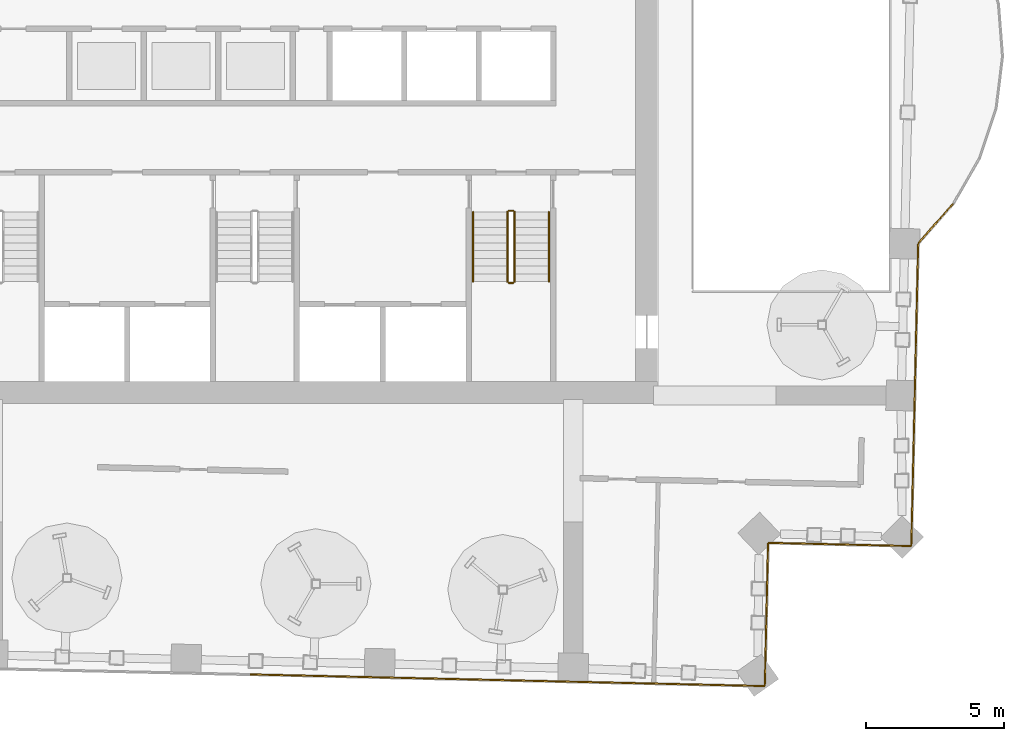
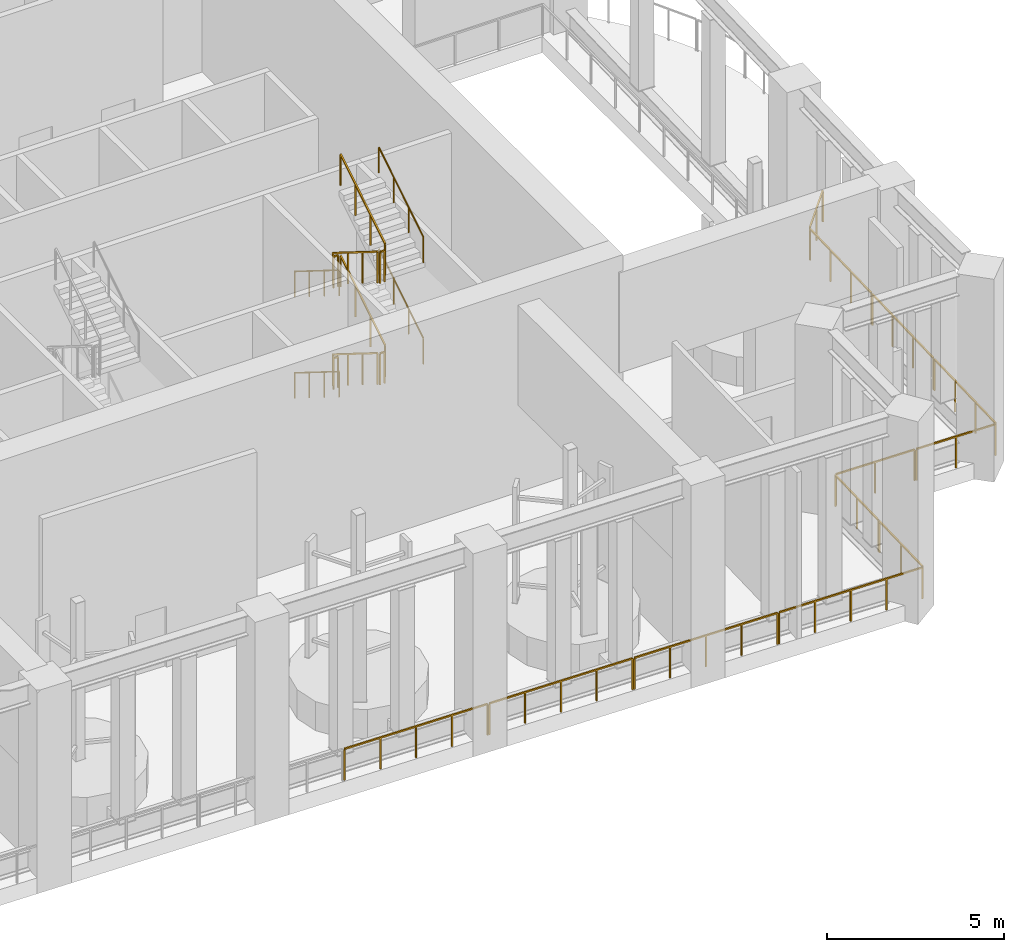
# One storey, part 30 of 33: 24 railings.
"""IFC4 building model written with IfcOpenShell, lengths in metres."""

from ifc_helpers import new_model, si_unit, direction, frame, origin, origin_2d, place, context, subcontext, project, spatial, rectangle, circle, extrude, material, type_object, element, save


model = new_model("IFC4")

# Units and contexts
model_context = context("Model", 3, precision=1e-05, world=origin(), true_north=direction((0.0, 1.0)))
body_context = subcontext(model_context, "Body", "Model", "MODEL_VIEW")
ifc_project = project(units=[si_unit("LENGTHUNIT", "METRE"), si_unit("AREAUNIT", "SQUARE_METRE"), si_unit("VOLUMEUNIT", "CUBIC_METRE"), si_unit("PLANEANGLEUNIT", "RADIAN"), si_unit("MASSUNIT", "GRAM", prefix="KILO")], contexts=[model_context])

# Site, building, storey
site_placement = place(None, origin())
site = spatial("IfcSite", under=ifc_project, at=site_placement, CompositionType="ELEMENT")
building_placement = place(site_placement, origin())
building = spatial("IfcBuilding", under=site, at=building_placement, Name="Mangrove Gate Tower", CompositionType="ELEMENT")
storey_placement = place(building_placement, frame((0.0, 0.0, 219.5)))
storey = spatial("IfcBuildingStorey", under=building, at=storey_placement, Name="L56", CompositionType="ELEMENT", Elevation=219.5)

# Railings
ifc_material_1 = material(Name="Stainless steel grade 316 with laminated glass infill", Category="steel")
railing_type_1 = type_object("IfcRailingType", Name="Balcony guard 1100", PredefinedType="GUARDRAIL", material=ifc_material_1)
for number, where, name in (
    (1, (23.801025390625, -16.740966796875, 0.0), "GUARD L56 slot 1"),
    (2, (23.884033203125, -13.080078125, 0.0), "GUARD L56 slot 2"),
):
    element("IfcRailing", number, at=place(storey_placement, frame(where)), inside=storey, type_object=railing_type_1, Name=name, PredefinedType="GUARDRAIL", context=body_context, shape_type="SweptSolid", body=[
        extrude(rectangle(XDim=0.048095703125, YDim=0.048095703125, at=origin_2d()), frame((0.0, 0.0, 1.076171875), z_axis=(0.022773752986, 0.999740644455, 0.0), x_axis=(-0.999740644455, 0.022773752986, 0.0)), (0.0, 0.0, 1.0), 3.60205078125),
        extrude(rectangle(XDim=0.0419921875, YDim=0.0419921875, at=origin_2d()), origin(), (0.0, 0.0, 1.0), 1.052001953125),
        extrude(rectangle(XDim=0.0419921875, YDim=0.0419921875, at=origin_2d()), frame((0.02734375, 1.200439453125, 0.0)), (0.0, 0.0, 1.0), 1.052001953125),
        extrude(rectangle(XDim=0.0419921875, YDim=0.0419921875, at=origin_2d()), frame((0.0546875, 2.400634765625, 0.0)), (0.0, 0.0, 1.0), 1.052001953125),
        extrude(rectangle(XDim=0.0419921875, YDim=0.0419921875, at=origin_2d()), frame((0.08203125, 3.60107421875, 0.0)), (0.0, 0.0, 1.0), 1.052001953125),
    ])
railing_1_placement = place(storey_placement, frame((23.967041015625, -9.4189453125, 0.0)))
element("IfcRailing", 3, at=railing_1_placement, inside=storey, type_object=railing_type_1, Name="GUARD L56 slot 3", PredefinedType="GUARDRAIL", context=body_context, shape_type="SweptSolid", body=[
    extrude(rectangle(XDim=0.048095703125, YDim=0.048095703125, at=origin_2d()), frame((0.0, 0.0, 1.076171875), z_axis=(0.022767581928, 0.99974078501, 0.0), x_axis=(-0.99974078501, 0.022767581928, 0.0)), (0.0, 0.0, 1.0), 3.60302734375),
    extrude(rectangle(XDim=0.0419921875, YDim=0.0419921875, at=origin_2d()), origin(), (0.0, 0.0, 1.0), 1.052001953125),
    extrude(rectangle(XDim=0.0419921875, YDim=0.0419921875, at=origin_2d()), frame((0.02734375, 1.20068359375, 0.0)), (0.0, 0.0, 1.0), 1.052001953125),
    extrude(rectangle(XDim=0.0419921875, YDim=0.0419921875, at=origin_2d()), frame((0.0546875, 2.4013671875, 0.0)), (0.0, 0.0, 1.0), 1.052001953125),
    extrude(rectangle(XDim=0.0419921875, YDim=0.0419921875, at=origin_2d()), frame((0.08203125, 3.60205078125, 0.0)), (0.0, 0.0, 1.0), 1.052001953125),
])
railing_2_placement = place(storey_placement, frame((24.070068359375, -5.764892578125, 0.0)))
element("IfcRailing", 4, at=railing_2_placement, inside=storey, type_object=railing_type_1, Name="GUARD L56 slot 4", PredefinedType="GUARDRAIL", context=body_context, shape_type="SweptSolid", body=[
    extrude(rectangle(XDim=0.048095703125, YDim=0.048095703125, at=origin_2d()), frame((0.0, 0.0, 1.076171875), z_axis=(0.660186077036, 0.751102086062, 0.0), x_axis=(-0.751102086062, 0.660186077036, 0.0)), (0.0, 0.0, 1.0), 1.868896484375),
    extrude(rectangle(XDim=0.0419921875, YDim=0.0419921875, at=origin_2d()), origin(), (0.0, 0.0, 1.0), 1.052001953125),
    extrude(rectangle(XDim=0.0419921875, YDim=0.0419921875, at=origin_2d()), frame((0.616943359375, 0.701904296875, 0.0)), (0.0, 0.0, 1.0), 1.052001953125),
    extrude(rectangle(XDim=0.0419921875, YDim=0.0419921875, at=origin_2d()), frame((1.23388671875, 1.40380859375, 0.0)), (0.0, 0.0, 1.0), 1.052001953125),
])
railing_3_placement = place(storey_placement, frame((-0.158935546875, -21.428955078125, 0.0)))
element("IfcRailing", 5, at=railing_3_placement, inside=storey, type_object=railing_type_1, Name="GUARD L56 slot 49", PredefinedType="GUARDRAIL", context=body_context, shape_type="SweptSolid", body=[
    extrude(rectangle(XDim=0.048095703125, YDim=0.048095703125, at=origin_2d()), frame((0.0, 0.0, 1.076171875), z_axis=(0.999745486154, -0.022560206436, 0.0), x_axis=(0.022560206436, 0.999745486154, 0.0)), (0.0, 0.0, 1.0), 4.610107421875),
    extrude(rectangle(XDim=0.0419921875, YDim=0.0419921875, at=origin_2d()), origin(), (0.0, 0.0, 1.0), 1.052001953125),
    extrude(rectangle(XDim=0.0419921875, YDim=0.0419921875, at=origin_2d()), frame((1.15234375, -0.02587890625, 0.0)), (0.0, 0.0, 1.0), 1.052001953125),
    extrude(rectangle(XDim=0.0419921875, YDim=0.0419921875, at=origin_2d()), frame((2.304443359375, -0.052001953125, 0.0)), (0.0, 0.0, 1.0), 1.052001953125),
    extrude(rectangle(XDim=0.0419921875, YDim=0.0419921875, at=origin_2d()), frame((3.45654296875, -0.078125, 0.0)), (0.0, 0.0, 1.0), 1.052001953125),
    extrude(rectangle(XDim=0.0419921875, YDim=0.0419921875, at=origin_2d()), frame((4.60888671875, -0.10400390625, 0.0)), (0.0, 0.0, 1.0), 1.052001953125),
])
for number, where, name in (
    (6, (4.510009765625, -21.534912109375, 0.0), "GUARD L56 slot 50"),
    (7, (9.177978515625, -21.64111328125, 0.0), "GUARD L56 slot 51"),
):
    element("IfcRailing", number, at=place(storey_placement, frame(where)), inside=storey, type_object=railing_type_1, Name=name, PredefinedType="GUARDRAIL", context=body_context, shape_type="SweptSolid", body=[
        extrude(rectangle(XDim=0.048095703125, YDim=0.048095703125, at=origin_2d()), frame((0.0, 0.0, 1.076171875), z_axis=(0.999745378305, -0.022564985226, 0.0), x_axis=(0.022564985226, 0.999745378305, 0.0)), (0.0, 0.0, 1.0), 4.609130859375),
        extrude(rectangle(XDim=0.0419921875, YDim=0.0419921875, at=origin_2d()), origin(), (0.0, 0.0, 1.0), 1.052001953125),
        extrude(rectangle(XDim=0.0419921875, YDim=0.0419921875, at=origin_2d()), frame((1.15185546875, -0.02587890625, 0.0)), (0.0, 0.0, 1.0), 1.052001953125),
        extrude(rectangle(XDim=0.0419921875, YDim=0.0419921875, at=origin_2d()), frame((2.303955078125, -0.052001953125, 0.0)), (0.0, 0.0, 1.0), 1.052001953125),
        extrude(rectangle(XDim=0.0419921875, YDim=0.0419921875, at=origin_2d()), frame((3.4560546875, -0.078125, 0.0)), (0.0, 0.0, 1.0), 1.052001953125),
        extrude(rectangle(XDim=0.0419921875, YDim=0.0419921875, at=origin_2d()), frame((4.60791015625, -0.10400390625, 0.0)), (0.0, 0.0, 1.0), 1.052001953125),
    ])
railing_4_placement = place(storey_placement, frame((13.845947265625, -21.74609375, 0.0)))
element("IfcRailing", 8, at=railing_4_placement, inside=storey, type_object=railing_type_1, Name="GUARD L56 slot 52", PredefinedType="GUARDRAIL", context=body_context, shape_type="SweptSolid", body=[
    extrude(rectangle(XDim=0.048095703125, YDim=0.048095703125, at=origin_2d()), frame((0.0, 0.0, 1.076171875), z_axis=(0.999740603574, -0.022775547525, 0.0), x_axis=(0.022775547525, 0.999740603574, 0.0)), (0.0, 0.0, 1.0), 4.609375),
    extrude(rectangle(XDim=0.0419921875, YDim=0.0419921875, at=origin_2d()), origin(), (0.0, 0.0, 1.0), 1.052001953125),
    extrude(rectangle(XDim=0.0419921875, YDim=0.0419921875, at=origin_2d()), frame((1.152099609375, -0.0263671875, 0.0)), (0.0, 0.0, 1.0), 1.052001953125),
    extrude(rectangle(XDim=0.0419921875, YDim=0.0419921875, at=origin_2d()), frame((2.30419921875, -0.052490234375, 0.0)), (0.0, 0.0, 1.0), 1.052001953125),
    extrude(rectangle(XDim=0.0419921875, YDim=0.0419921875, at=origin_2d()), frame((3.4560546875, -0.07861328125, 0.0)), (0.0, 0.0, 1.0), 1.052001953125),
    extrude(rectangle(XDim=0.0419921875, YDim=0.0419921875, at=origin_2d()), frame((4.608154296875, -0.10498046875, 0.0)), (0.0, 0.0, 1.0), 1.052001953125),
])
railing_5_placement = place(storey_placement, frame((18.485107421875, -21.822021484375, 0.0)))
element("IfcRailing", 9, at=railing_5_placement, inside=storey, type_object=railing_type_1, Name="GUARD L56 slot 53", PredefinedType="GUARDRAIL", context=body_context, shape_type="SweptSolid", body=[
    extrude(rectangle(XDim=0.048095703125, YDim=0.048095703125, at=origin_2d()), frame((0.0, 0.0, 1.076171875), z_axis=(0.02238961859, 0.99974932107, 0.0), x_axis=(-0.99974932107, 0.02238961859, 0.0)), (0.0, 0.0, 1.0), 2.540771484375),
    extrude(rectangle(XDim=0.0419921875, YDim=0.0419921875, at=origin_2d()), origin(), (0.0, 0.0, 1.0), 1.052001953125),
    extrude(rectangle(XDim=0.0419921875, YDim=0.0419921875, at=origin_2d()), frame((0.0283203125, 1.27001953125, 0.0)), (0.0, 0.0, 1.0), 1.052001953125),
    extrude(rectangle(XDim=0.0419921875, YDim=0.0419921875, at=origin_2d()), frame((0.056884765625, 2.5400390625, 0.0)), (0.0, 0.0, 1.0), 1.052001953125),
])
railing_6_placement = place(storey_placement, frame((18.5439453125, -19.221923828125, 0.0)))
element("IfcRailing", 10, at=railing_6_placement, inside=storey, type_object=railing_type_1, Name="GUARD L56 slot 54", PredefinedType="GUARDRAIL", context=body_context, shape_type="SweptSolid", body=[
    extrude(rectangle(XDim=0.048095703125, YDim=0.048095703125, at=origin_2d()), frame((0.0, 0.0, 1.076171875), z_axis=(0.022496468876, 0.99974692242, 0.0), x_axis=(-0.99974692242, 0.022496468876, 0.0)), (0.0, 0.0, 1.0), 2.53955078125),
    extrude(rectangle(XDim=0.0419921875, YDim=0.0419921875, at=origin_2d()), origin(), (0.0, 0.0, 1.0), 1.052001953125),
    extrude(rectangle(XDim=0.0419921875, YDim=0.0419921875, at=origin_2d()), frame((0.028564453125, 1.26953125, 0.0)), (0.0, 0.0, 1.0), 1.052001953125),
    extrude(rectangle(XDim=0.0419921875, YDim=0.0419921875, at=origin_2d()), frame((0.05712890625, 2.538818359375, 0.0)), (0.0, 0.0, 1.0), 1.052001953125),
])
railing_7_placement = place(storey_placement, frame((18.632080078125, -16.654052734375, 0.0)))
element("IfcRailing", 11, at=railing_7_placement, inside=storey, type_object=railing_type_1, Name="GUARD L56 slot 55", PredefinedType="GUARDRAIL", context=body_context, shape_type="SweptSolid", body=[
    extrude(rectangle(XDim=0.048095703125, YDim=0.048095703125, at=origin_2d()), frame((0.0, 0.0, 1.076171875), z_axis=(0.999749080042, -0.022400378464, 0.0), x_axis=(0.022400378464, 0.999749080042, 0.0)), (0.0, 0.0, 1.0), 2.53955078125),
    extrude(rectangle(XDim=0.0419921875, YDim=0.0419921875, at=origin_2d()), origin(), (0.0, 0.0, 1.0), 1.052001953125),
    extrude(rectangle(XDim=0.0419921875, YDim=0.0419921875, at=origin_2d()), frame((1.26953125, -0.0283203125, 0.0)), (0.0, 0.0, 1.0), 1.052001953125),
    extrude(rectangle(XDim=0.0419921875, YDim=0.0419921875, at=origin_2d()), frame((2.538818359375, -0.056884765625, 0.0)), (0.0, 0.0, 1.0), 1.052001953125),
])
railing_8_placement = place(storey_placement, frame((21.23095703125, -16.712890625, 0.0)))
element("IfcRailing", 12, at=railing_8_placement, inside=storey, type_object=railing_type_1, Name="GUARD L56 slot 56", PredefinedType="GUARDRAIL", context=body_context, shape_type="SweptSolid", body=[
    extrude(rectangle(XDim=0.048095703125, YDim=0.048095703125, at=origin_2d()), frame((0.0, 0.0, 1.076171875), z_axis=(0.99974716552, -0.022485662892, 0.0), x_axis=(0.022485662892, 0.99974716552, 0.0)), (0.0, 0.0, 1.0), 2.540771484375),
    extrude(rectangle(XDim=0.0419921875, YDim=0.0419921875, at=origin_2d()), origin(), (0.0, 0.0, 1.0), 1.052001953125),
    extrude(rectangle(XDim=0.0419921875, YDim=0.0419921875, at=origin_2d()), frame((1.27001953125, -0.028564453125, 0.0)), (0.0, 0.0, 1.0), 1.052001953125),
    extrude(rectangle(XDim=0.0419921875, YDim=0.0419921875, at=origin_2d()), frame((2.5400390625, -0.05712890625, 0.0)), (0.0, 0.0, 1.0), 1.052001953125),
])
ifc_material_2 = material(Name="Stainless steel 316", Category="steel")
railing_type_2 = type_object("IfcRailingType", Name="Core stair guard 1100", PredefinedType="GUARDRAIL", material=ifc_material_2)
railing_9_placement = place(storey_placement, frame((9.14990234375, -4.64990234375, 0.175048828125)))
element("IfcRailing", 13, at=railing_9_placement, inside=storey, type_object=railing_type_2, Name="L56 ST3 stair guard 1", PredefinedType="GUARDRAIL", context=body_context, shape_type="SweptSolid", body=[
    extrude(rectangle(XDim=0.048095703125, YDim=0.048095703125, at=origin_2d()), frame((0.0, 0.0, 1.076171875), z_axis=(0.0, -0.848007534815, 0.529984170421), x_axis=(1.0, 0.0, 0.0)), (0.0, 0.0, 1.0), 2.9716796875),
    extrude(rectangle(XDim=0.0419921875, YDim=0.0419921875, at=origin_2d()), origin(), (0.0, 0.0, 1.0), 1.052001953125),
    extrude(rectangle(XDim=0.0419921875, YDim=0.0419921875, at=origin_2d()), frame((0.0, -0.840087890625, 0.52490234375)), (0.0, 0.0, 1.0), 1.052001953125),
    extrude(rectangle(XDim=0.0419921875, YDim=0.0419921875, at=origin_2d()), frame((0.0, -1.679931640625, 1.050048828125)), (0.0, 0.0, 1.0), 1.052001953125),
    extrude(rectangle(XDim=0.0419921875, YDim=0.0419921875, at=origin_2d()), frame((0.0, -2.52001953125, 1.574951171875)), (0.0, 0.0, 1.0), 1.052001953125),
])
railing_10_placement = place(storey_placement, frame((9.199951171875, -7.219970703125, 1.75)))
element("IfcRailing", 14, at=railing_10_placement, inside=storey, type_object=railing_type_2, Name="L56 ST3 stair guard 2", PredefinedType="GUARDRAIL", context=body_context, shape_type="SweptSolid", body=[
    extrude(rectangle(XDim=0.048095703125, YDim=0.048095703125, at=origin_2d()), frame((0.0, 0.0, 1.076171875), z_axis=(1.0, 0.0, 0.0), x_axis=(0.0, 1.0, 0.0)), (0.0, 0.0, 1.0), 0.150146484375),
    extrude(rectangle(XDim=0.0419921875, YDim=0.0419921875, at=origin_2d()), origin(), (0.0, 0.0, 1.0), 1.052001953125),
    extrude(rectangle(XDim=0.0419921875, YDim=0.0419921875, at=origin_2d()), frame((0.150146484375, 0.0, 0.0)), (0.0, 0.0, 1.0), 1.052001953125),
])
railing_11_placement = place(storey_placement, frame((9.39990234375, -7.169921875, 1.925048828125)))
element("IfcRailing", 15, at=railing_11_placement, inside=storey, type_object=railing_type_2, Name="L56 ST3 stair guard 3", PredefinedType="GUARDRAIL", context=body_context, shape_type="SweptSolid", body=[
    extrude(rectangle(XDim=0.048095703125, YDim=0.048095703125, at=origin_2d()), frame((0.0, 0.0, 1.076171875), z_axis=(0.0, 0.848007534815, 0.529984170421), x_axis=(-1.0, 0.0, 0.0)), (0.0, 0.0, 1.0), 2.9716796875),
    extrude(rectangle(XDim=0.0419921875, YDim=0.0419921875, at=origin_2d()), origin(), (0.0, 0.0, 1.0), 1.052001953125),
    extrude(rectangle(XDim=0.0419921875, YDim=0.0419921875, at=origin_2d()), frame((0.0, 0.840087890625, 0.52490234375)), (0.0, 0.0, 1.0), 1.052001953125),
    extrude(rectangle(XDim=0.0419921875, YDim=0.0419921875, at=origin_2d()), frame((0.0, 1.679931640625, 1.050048828125)), (0.0, 0.0, 1.0), 1.052001953125),
    extrude(rectangle(XDim=0.0419921875, YDim=0.0419921875, at=origin_2d()), frame((0.0, 2.52001953125, 1.574951171875)), (0.0, 0.0, 1.0), 1.052001953125),
])
railing_12_placement = place(storey_placement, frame((9.199951171875, -4.60009765625, 3.5)))
element("IfcRailing", 16, at=railing_12_placement, inside=storey, type_object=railing_type_2, Name="L56 ST3 stair guard 4", PredefinedType="GUARDRAIL", context=body_context, shape_type="SweptSolid", body=[
    extrude(rectangle(XDim=0.048095703125, YDim=0.048095703125, at=origin_2d()), frame((0.0, 0.0, 1.076171875), z_axis=(1.0, 0.0, 0.0), x_axis=(0.0, 1.0, 0.0)), (0.0, 0.0, 1.0), 0.150146484375),
    extrude(rectangle(XDim=0.0419921875, YDim=0.0419921875, at=origin_2d()), origin(), (0.0, 0.0, 1.0), 1.052001953125),
    extrude(rectangle(XDim=0.0419921875, YDim=0.0419921875, at=origin_2d()), frame((0.150146484375, 0.0, 0.0)), (0.0, 0.0, 1.0), 1.052001953125),
])
railing_13_placement = place(storey_placement, frame((9.14990234375, -4.64990234375, 3.675048828125)))
element("IfcRailing", 17, at=railing_13_placement, inside=storey, type_object=railing_type_2, Name="L56 ST3 stair guard 5", PredefinedType="GUARDRAIL", context=body_context, shape_type="SweptSolid", body=[
    extrude(rectangle(XDim=0.048095703125, YDim=0.048095703125, at=origin_2d()), frame((0.0, 0.0, 1.076171875), z_axis=(0.0, -0.848007534815, 0.529984170421), x_axis=(1.0, 0.0, 0.0)), (0.0, 0.0, 1.0), 2.9716796875),
    extrude(rectangle(XDim=0.0419921875, YDim=0.0419921875, at=origin_2d()), origin(), (0.0, 0.0, 1.0), 1.052001953125),
    extrude(rectangle(XDim=0.0419921875, YDim=0.0419921875, at=origin_2d()), frame((0.0, -0.840087890625, 0.52490234375)), (0.0, 0.0, 1.0), 1.052001953125),
    extrude(rectangle(XDim=0.0419921875, YDim=0.0419921875, at=origin_2d()), frame((0.0, -1.679931640625, 1.050048828125)), (0.0, 0.0, 1.0), 1.052001953125),
    extrude(rectangle(XDim=0.0419921875, YDim=0.0419921875, at=origin_2d()), frame((0.0, -2.52001953125, 1.574951171875)), (0.0, 0.0, 1.0), 1.052001953125),
])
railing_14_placement = place(storey_placement, frame((9.199951171875, -7.219970703125, 5.25)))
element("IfcRailing", 18, at=railing_14_placement, inside=storey, type_object=railing_type_2, Name="L56 ST3 stair guard 6", PredefinedType="GUARDRAIL", context=body_context, shape_type="SweptSolid", body=[
    extrude(rectangle(XDim=0.048095703125, YDim=0.048095703125, at=origin_2d()), frame((0.0, 0.0, 1.076171875), z_axis=(1.0, 0.0, 0.0), x_axis=(0.0, 1.0, 0.0)), (0.0, 0.0, 1.0), 0.150146484375),
    extrude(rectangle(XDim=0.0419921875, YDim=0.0419921875, at=origin_2d()), origin(), (0.0, 0.0, 1.0), 1.052001953125),
    extrude(rectangle(XDim=0.0419921875, YDim=0.0419921875, at=origin_2d()), frame((0.150146484375, 0.0, 0.0)), (0.0, 0.0, 1.0), 1.052001953125),
])
railing_15_placement = place(storey_placement, frame((9.39990234375, -7.169921875, 5.425048828125)))
element("IfcRailing", 19, at=railing_15_placement, inside=storey, type_object=railing_type_2, Name="L56 ST3 stair guard 7", PredefinedType="GUARDRAIL", context=body_context, shape_type="SweptSolid", body=[
    extrude(rectangle(XDim=0.048095703125, YDim=0.048095703125, at=origin_2d()), frame((0.0, 0.0, 1.076171875), z_axis=(0.0, 0.848007534815, 0.529984170421), x_axis=(-1.0, 0.0, 0.0)), (0.0, 0.0, 1.0), 2.9716796875),
    extrude(rectangle(XDim=0.0419921875, YDim=0.0419921875, at=origin_2d()), origin(), (0.0, 0.0, 1.0), 1.052001953125),
    extrude(rectangle(XDim=0.0419921875, YDim=0.0419921875, at=origin_2d()), frame((0.0, 0.840087890625, 0.52490234375)), (0.0, 0.0, 1.0), 1.052001953125),
    extrude(rectangle(XDim=0.0419921875, YDim=0.0419921875, at=origin_2d()), frame((0.0, 1.679931640625, 1.050048828125)), (0.0, 0.0, 1.0), 1.052001953125),
    extrude(rectangle(XDim=0.0419921875, YDim=0.0419921875, at=origin_2d()), frame((0.0, 2.52001953125, 1.574951171875)), (0.0, 0.0, 1.0), 1.052001953125),
])
railing_16_placement = place(storey_placement, frame((9.199951171875, -4.60009765625, 0.0)))
element("IfcRailing", 20, at=railing_16_placement, inside=storey, type_object=railing_type_2, Name="L56 ST3 stair guard 8", PredefinedType="GUARDRAIL", context=body_context, shape_type="SweptSolid", body=[
    extrude(rectangle(XDim=0.048095703125, YDim=0.048095703125, at=origin_2d()), frame((0.0, 0.0, 1.076171875), z_axis=(1.0, 0.0, 0.0), x_axis=(0.0, 1.0, 0.0)), (0.0, 0.0, 1.0), 0.150146484375),
    extrude(rectangle(XDim=0.0419921875, YDim=0.0419921875, at=origin_2d()), origin(), (0.0, 0.0, 1.0), 1.052001953125),
    extrude(rectangle(XDim=0.0419921875, YDim=0.0419921875, at=origin_2d()), frame((0.150146484375, 0.0, 0.0)), (0.0, 0.0, 1.0), 1.052001953125),
])
ifc_material_3 = material(Name="Stainless steel 316", Category="steel")
railing_type_3 = type_object("IfcRailingType", Name="Core stair handrail 900", PredefinedType="HANDRAIL", material=ifc_material_3)
railing_17_placement = place(storey_placement, frame((7.89990234375, -4.64990234375, 0.175048828125)))
element("IfcRailing", 21, at=railing_17_placement, inside=storey, type_object=railing_type_3, Name="L56 ST3 stair handrail 1", PredefinedType="HANDRAIL", context=body_context, shape_type="SweptSolid", body=[
    extrude(circle(Radius=0.02392578125, at=origin_2d()), frame((0.0, 0.0, 0.8759765625), z_axis=(0.0, -0.848007534815, 0.529984170421), x_axis=(1.0, 0.0, 0.0)), (0.0, 0.0, 1.0), 2.9716796875),
    extrude(circle(Radius=0.02099609375, at=origin_2d()), origin(), (0.0, 0.0, 1.0), 0.851806640625),
    extrude(circle(Radius=0.02099609375, at=origin_2d()), frame((0.0, -0.840087890625, 0.52490234375)), (0.0, 0.0, 1.0), 0.851806640625),
    extrude(circle(Radius=0.02099609375, at=origin_2d()), frame((0.0, -1.679931640625, 1.050048828125)), (0.0, 0.0, 1.0), 0.851806640625),
    extrude(circle(Radius=0.02099609375, at=origin_2d()), frame((0.0, -2.52001953125, 1.574951171875)), (0.0, 0.0, 1.0), 0.851806640625),
])
railing_18_placement = place(storey_placement, frame((10.64990234375, -7.169921875, 1.925048828125)))
element("IfcRailing", 22, at=railing_18_placement, inside=storey, type_object=railing_type_3, Name="L56 ST3 stair handrail 2", PredefinedType="HANDRAIL", context=body_context, shape_type="SweptSolid", body=[
    extrude(circle(Radius=0.02392578125, at=origin_2d()), frame((0.0, 0.0, 0.8759765625), z_axis=(0.0, 0.848007534815, 0.529984170421), x_axis=(-1.0, 0.0, 0.0)), (0.0, 0.0, 1.0), 2.9716796875),
    extrude(circle(Radius=0.02099609375, at=origin_2d()), origin(), (0.0, 0.0, 1.0), 0.851806640625),
    extrude(circle(Radius=0.02099609375, at=origin_2d()), frame((0.0, 0.840087890625, 0.52490234375)), (0.0, 0.0, 1.0), 0.851806640625),
    extrude(circle(Radius=0.02099609375, at=origin_2d()), frame((0.0, 1.679931640625, 1.050048828125)), (0.0, 0.0, 1.0), 0.851806640625),
    extrude(circle(Radius=0.02099609375, at=origin_2d()), frame((0.0, 2.52001953125, 1.574951171875)), (0.0, 0.0, 1.0), 0.851806640625),
])
railing_19_placement = place(storey_placement, frame((7.89990234375, -4.64990234375, 3.675048828125)))
element("IfcRailing", 23, at=railing_19_placement, inside=storey, type_object=railing_type_3, Name="L56 ST3 stair handrail 3", PredefinedType="HANDRAIL", context=body_context, shape_type="SweptSolid", body=[
    extrude(circle(Radius=0.02392578125, at=origin_2d()), frame((0.0, 0.0, 0.8759765625), z_axis=(0.0, -0.848007534815, 0.529984170421), x_axis=(1.0, 0.0, 0.0)), (0.0, 0.0, 1.0), 2.9716796875),
    extrude(circle(Radius=0.02099609375, at=origin_2d()), origin(), (0.0, 0.0, 1.0), 0.851806640625),
    extrude(circle(Radius=0.02099609375, at=origin_2d()), frame((0.0, -0.840087890625, 0.52490234375)), (0.0, 0.0, 1.0), 0.851806640625),
    extrude(circle(Radius=0.02099609375, at=origin_2d()), frame((0.0, -1.679931640625, 1.050048828125)), (0.0, 0.0, 1.0), 0.851806640625),
    extrude(circle(Radius=0.02099609375, at=origin_2d()), frame((0.0, -2.52001953125, 1.574951171875)), (0.0, 0.0, 1.0), 0.851806640625),
])
railing_20_placement = place(storey_placement, frame((10.64990234375, -7.169921875, 5.425048828125)))
element("IfcRailing", 24, at=railing_20_placement, inside=storey, type_object=railing_type_3, Name="L56 ST3 stair handrail 4", PredefinedType="HANDRAIL", context=body_context, shape_type="SweptSolid", body=[
    extrude(circle(Radius=0.02392578125, at=origin_2d()), frame((0.0, 0.0, 0.8759765625), z_axis=(0.0, 0.848007534815, 0.529984170421), x_axis=(-1.0, 0.0, 0.0)), (0.0, 0.0, 1.0), 2.9716796875),
    extrude(circle(Radius=0.02099609375, at=origin_2d()), origin(), (0.0, 0.0, 1.0), 0.851806640625),
    extrude(circle(Radius=0.02099609375, at=origin_2d()), frame((0.0, 0.840087890625, 0.52490234375)), (0.0, 0.0, 1.0), 0.851806640625),
    extrude(circle(Radius=0.02099609375, at=origin_2d()), frame((0.0, 1.679931640625, 1.050048828125)), (0.0, 0.0, 1.0), 0.851806640625),
    extrude(circle(Radius=0.02099609375, at=origin_2d()), frame((0.0, 2.52001953125, 1.574951171875)), (0.0, 0.0, 1.0), 0.851806640625),
])

save(model, "model.ifc")
